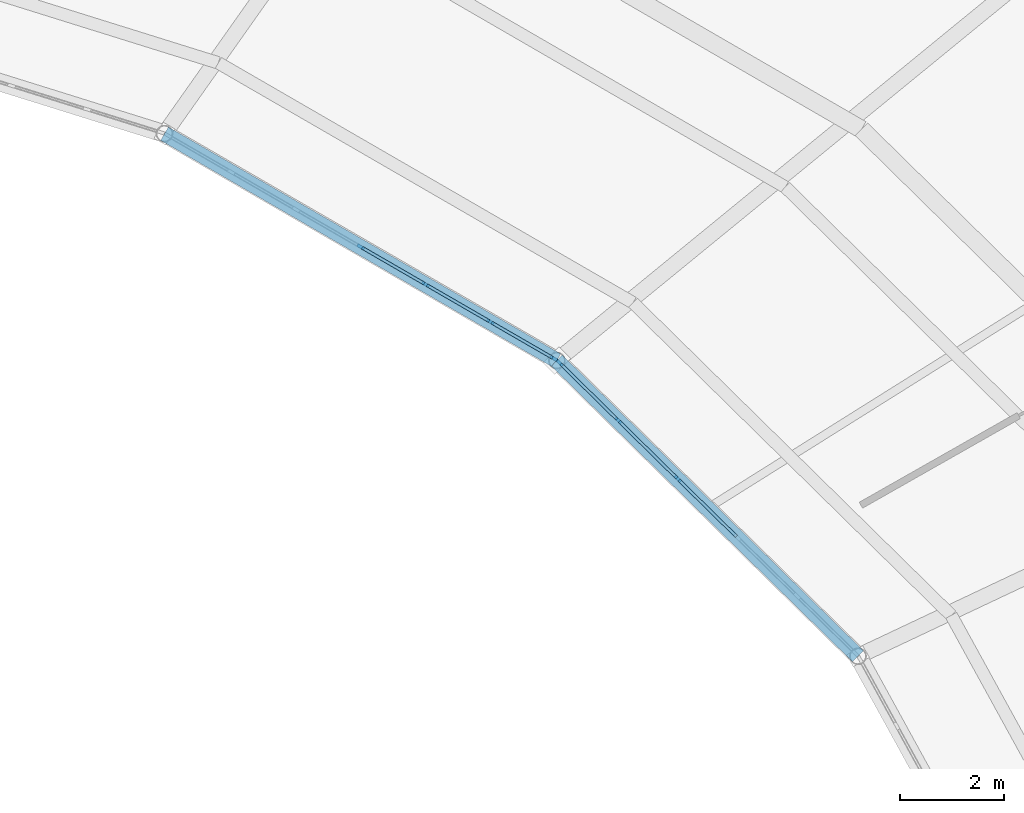
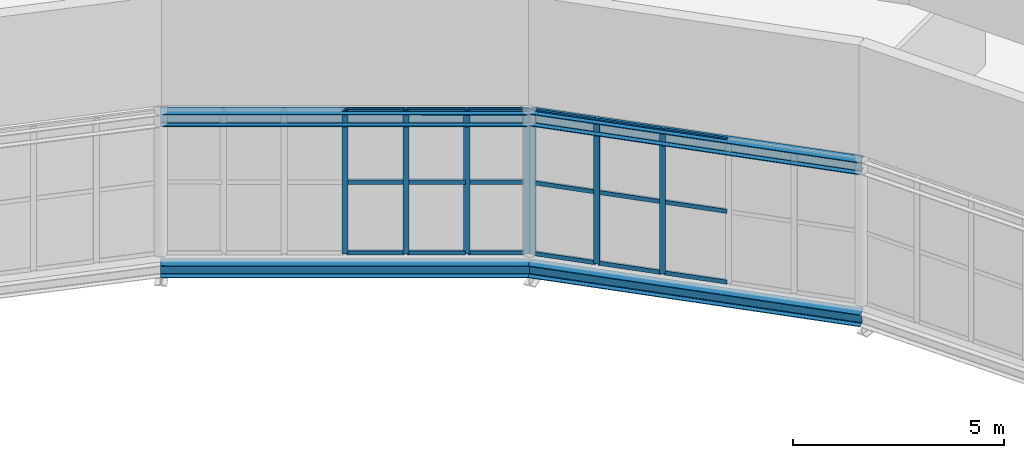
# One storey, part 52 of 123: 25 members, 4 beams, 2 elements without a shape of their own.
"""IFC4 building model written with IfcOpenShell, lengths in metres."""

import ifcopenshell
import ifcopenshell.guid

model = None  # the IFC model being written
_history = None  # IfcOwnerHistory: only IFC2X3 demands one
_inside = {}  # id of a spatial element -> (the spatial element, [elements in it])
_under = {}  # id of a project, library or spatial element -> (it, [spatial elements below it])
_declared = {}  # id of a project -> (the project, [libraries it declares])
_typed = {}  # id of a type object -> (the type object, [elements of that type])
_made_of = {}  # id of a material, layer set ... -> (it, [elements and type objects made of it])


def new_model(schema):
    """Start an empty IFC model of exactly this schema.

    Asked for "IFC4X3", IfcOpenShell would pick the latest addendum, in which some entities
    have other attributes; the version numbers below select the first issue.
    IFC2X3 requires an IfcOwnerHistory on every rooted entity: one is made here for all.
    """
    global model, _history
    if schema == "IFC4X3":
        model = ifcopenshell.file(schema_version=(4, 3, 0, 0))
    else:
        model = ifcopenshell.file(schema=schema)
    _inside.clear()
    _under.clear()
    _declared.clear()
    _typed.clear()
    _made_of.clear()
    _history = None
    if model.schema == "IFC2X3":
        org = make("IfcOrganization", Name="unknown")
        user = make(
            "IfcPersonAndOrganization",
            ThePerson=make("IfcPerson", FamilyName="unknown"),
            TheOrganization=org,
        )
        app = make(
            "IfcApplication",
            ApplicationDeveloper=org,
            Version="unknown",
            ApplicationFullName="unknown",
            ApplicationIdentifier="unknown",
        )
        _history = make(
            "IfcOwnerHistory",
            OwningUser=user,
            OwningApplication=app,
            ChangeAction="ADDED",
            CreationDate=0,
        )
    return model


def make(cls, **values):
    """One entity of the class cls with the attributes given. An attribute that is None is left unset."""
    return model.create_entity(
        cls, **{name: value for name, value in values.items() if value is not None}
    )


def rooted(cls, **values):
    """An entity with a GlobalId (a new one), such as an element, a storey or a relation."""
    return make(cls, GlobalId=ifcopenshell.guid.new(), OwnerHistory=_history, **values)


def si_unit(unit_type, name, prefix=None):
    """IfcSIUnit, for example si_unit("LENGTHUNIT", "METRE", prefix="MILLI")."""
    return make("IfcSIUnit", UnitType=unit_type, Prefix=prefix, Name=name)


def assignment(units):
    """IfcUnitAssignment: the units of a project."""
    return None if units is None else make("IfcUnitAssignment", Units=units)


def point(xyz):
    """IfcCartesianPoint."""
    return None if xyz is None else make("IfcCartesianPoint", Coordinates=xyz)


def direction(xyz):
    """IfcDirection."""
    return None if xyz is None else make("IfcDirection", DirectionRatios=xyz)


def frame(location, z_axis=None, x_axis=None):
    """IfcAxis2Placement3D, a coordinate frame: its origin and axes. An axis left out is left unset."""
    return make(
        "IfcAxis2Placement3D",
        Location=point(location),
        Axis=direction(z_axis),
        RefDirection=direction(x_axis),
    )


def frame_2d(location, x_axis=None):
    """IfcAxis2Placement2D, a coordinate frame in the plane: its origin and x axis."""
    return make(
        "IfcAxis2Placement2D", Location=point(location), RefDirection=direction(x_axis)
    )


def origin():
    """The frame at (0, 0, 0) with its axes left unset."""
    return frame((0.0, 0.0, 0.0))


def origin_2d():
    """The frame at (0, 0) in the plane with its x axis left unset."""
    return frame_2d((0.0, 0.0))


def place(relative_to, where):
    """IfcLocalPlacement: puts the frame where relative to a parent placement (None: the world)."""
    return make(
        "IfcLocalPlacement", PlacementRelTo=relative_to, RelativePlacement=where
    )


def context(
    kind, dimensions, precision=None, world=None, true_north=None, identifier=None
):
    """IfcGeometricRepresentationContext, for example the 3D "Model" context."""
    return make(
        "IfcGeometricRepresentationContext",
        ContextIdentifier=identifier,
        ContextType=kind,
        CoordinateSpaceDimension=dimensions,
        Precision=precision,
        WorldCoordinateSystem=world,
        TrueNorth=true_north,
    )


def subcontext(parent, identifier, kind, view, scale=None):
    """IfcGeometricRepresentationSubContext, for example "Body" below "Model"."""
    return make(
        "IfcGeometricRepresentationSubContext",
        ContextIdentifier=identifier,
        ContextType=kind,
        ParentContext=parent,
        TargetScale=scale,
        TargetView=view,
    )


def project(units=None, contexts=None):
    """IfcProject with its units and contexts."""
    return rooted(
        "IfcProject",
        Name="project",
        RepresentationContexts=contexts,
        UnitsInContext=assignment(units),
    )


def spatial(cls, under=None, at=None, **own):
    """A site, building, storey or space (cls), placed at a placement, below another one or the project."""
    s = rooted(cls, ObjectPlacement=at, **own)
    if under is not None:
        _under.setdefault(under.id(), (under, []))[1].append(s)
    return s


def profile(cls, at=None, kind="AREA", **sizes):
    """A parametric profile (cls). Its sizes go by their IFC names, for example OverallWidth=200.0."""
    return make(cls, ProfileType=kind, Position=at, **sizes)


def rectangle(**sizes):
    """IfcRectangleProfileDef."""
    return profile("IfcRectangleProfileDef", **sizes)


def i_section(**sizes):
    """IfcIShapeProfileDef."""
    return profile("IfcIShapeProfileDef", **sizes)


def extrude(swept, where, along, depth):
    """IfcExtrudedAreaSolid: the profile swept, set in the frame where, extruded along a direction by depth."""
    return make(
        "IfcExtrudedAreaSolid",
        SweptArea=swept,
        Position=where,
        ExtrudedDirection=direction(along),
        Depth=depth,
    )


def shape(context_of_items, identifier, shape_type, items):
    """IfcShapeRepresentation: the items that make up one representation, for example the "Body"."""
    return make(
        "IfcShapeRepresentation",
        ContextOfItems=context_of_items,
        RepresentationIdentifier=identifier,
        RepresentationType=shape_type,
        Items=items,
    )


def material(Name=None, Category=None):
    """IfcMaterial."""
    return make("IfcMaterial", Name=Name, Category=Category)


def material_profile(
    of_material, cross_section, Name=None, Category=None, Priority=None
):
    """IfcMaterialProfile: a cross section and its material."""
    return make(
        "IfcMaterialProfile",
        Name=Name,
        Material=of_material,
        Profile=cross_section,
        Priority=Priority,
        Category=Category,
    )


def profile_set(profiles, Name=None, composite=None):
    """IfcMaterialProfileSet."""
    return make(
        "IfcMaterialProfileSet",
        Name=Name,
        MaterialProfiles=profiles,
        CompositeProfile=composite,
    )


def made_of(thing, what):
    """Note that an element or type object is made of a material, layer set ...; save() writes the relation."""
    if what is not None:
        _made_of.setdefault(what.id(), (what, []))[1].append(thing)
    return thing


def type_object(cls, material=None, **own):
    """A type object (cls), such as IfcWallType, which elements share."""
    return made_of(rooted(cls, **own), material)


def element(
    cls,
    number,
    at=None,
    inside=None,
    cuts=None,
    type_object=None,
    material=None,
    context=None,
    identifier="Body",
    shape_type=None,
    held_by="IfcProductDefinitionShape",
    body=None,
    shapes=None,
    **own,
):
    """One element of the class cls, such as IfcWall. Its Tag is "e" and its number.

    at: its placement. inside: the storey or other place that contains it. cuts: it is an
    opening in that element (IfcRelVoidsElement). A single representation is given by context,
    identifier, shape_type and body (its items); several are given by shapes. held_by: the class
    of the entity that holds the representations. save() writes the other relations.
    """
    e = rooted(cls, Tag="e%d" % number, ObjectPlacement=at, **own)
    if body is not None:
        shapes = [shape(context, identifier, shape_type, body)]
    if shapes is not None:
        e.Representation = make(held_by, Representations=shapes)
    if inside is not None:
        _inside.setdefault(inside.id(), (inside, []))[1].append(e)
    if cuts is not None:
        rooted(
            "IfcRelVoidsElement", RelatingBuildingElement=cuts, RelatedOpeningElement=e
        )
    if type_object is not None:
        _typed.setdefault(type_object.id(), (type_object, []))[1].append(e)
    return made_of(e, material)


def aggregate(whole, parts):
    """IfcRelAggregates: a whole, such as a stair, and the parts it consists of."""
    return rooted("IfcRelAggregates", RelatingObject=whole, RelatedObjects=parts)


def save(model, path):
    """Write the relations noted so far, then the file.

    IfcRelAggregates (storeys below a building ...), IfcRelContainedInSpatialStructure (elements
    in a storey), IfcRelDefinesByType, IfcRelAssociatesMaterial and IfcRelDeclares: one each for
    every whole, place, type object, material and project.
    """
    for whole, parts in _under.values():
        aggregate(whole, parts)
    for where, things in _inside.values():
        rooted(
            "IfcRelContainedInSpatialStructure",
            RelatedElements=things,
            RelatingStructure=where,
        )
    for kind, things in _typed.values():
        rooted("IfcRelDefinesByType", RelatedObjects=things, RelatingType=kind)
    for what, things in _made_of.values():
        rooted("IfcRelAssociatesMaterial", RelatedObjects=things, RelatingMaterial=what)
    for by, libraries in _declared.values():
        rooted("IfcRelDeclares", RelatingContext=by, RelatedDefinitions=libraries)
    model.write(path)


model = new_model("IFC4")

# Units and contexts
model_context = context("Model", 3, precision=1e-05, world=origin(), true_north=direction((0.0, 1.0)))
body_context = subcontext(model_context, "Body", "Model", "MODEL_VIEW")
ifc_project = project(units=[si_unit("LENGTHUNIT", "METRE"), si_unit("AREAUNIT", "SQUARE_METRE"), si_unit("VOLUMEUNIT", "CUBIC_METRE"), si_unit("PLANEANGLEUNIT", "RADIAN"), si_unit("MASSUNIT", "GRAM", prefix="KILO")], contexts=[model_context])

# Site, building, storey
site_placement = place(None, origin())
site = spatial("IfcSite", under=ifc_project, at=site_placement, CompositionType="ELEMENT")
building_placement = place(site_placement, origin())
building = spatial("IfcBuilding", under=site, at=building_placement, Name="Kildeholm Park Wholesale Market", CompositionType="ELEMENT")
storey_placement = place(building_placement, frame((0.0, 0.0, 9.60009765625)))
storey = spatial("IfcBuildingStorey", under=building, at=storey_placement, Name="L02", CompositionType="ELEMENT", Elevation=9.60009765625)

# Beams
ifc_material_1 = material(Name="Steel S355", Category="steel")
ifc_material_profile_1 = material_profile(ifc_material_1, i_section(OverallWidth=0.300048828125, OverallDepth=0.35009765625, WebThickness=0.010009765625, FlangeThickness=0.017578125, FilletRadius=0.027099609375, at=origin_2d()), Name="HEA 360")
ifc_profile_set_1 = profile_set([ifc_material_profile_1], Name="Steel S355")
beam_type_1 = type_object("IfcBeamType", Name="Beam B-R01 HEA 360", PredefinedType="BEAM", material=ifc_profile_set_1)
beam_1_placement = place(storey_placement, frame((130.610107421875, 103.25, -0.42919921875), z_axis=(-0.713593723838, 0.700559774251, 0.0), x_axis=(-0.700559774251, -0.713593723838, 0.0)))
element("IfcBeam", 1, at=beam_1_placement, inside=storey, type_object=beam_type_1, Name="Beam BM-V1-L02-CI-02 BM-0024", PredefinedType="BEAM", context=body_context, shape_type="SweptSolid", body=[
    extrude(i_section(OverallWidth=0.300048828125, OverallDepth=0.35009765625, WebThickness=0.010009765625, FlangeThickness=0.017578125, FilletRadius=0.027099609375, at=origin_2d()), origin(), (0.0, 0.0, 1.0), 8.12939453125),
])
beam_2_placement = place(storey_placement, frame((124.80908203125, 108.945068359375, -0.42919921875), z_axis=(-0.865697347457, 0.500567780231, 0.0), x_axis=(-0.500567780231, -0.865697347457, 0.0)))
element("IfcBeam", 2, at=beam_2_placement, inside=storey, type_object=beam_type_1, Name="Beam BM-V1-L02-CI-03 BM-0034", PredefinedType="BEAM", context=body_context, shape_type="SweptSolid", body=[
    extrude(i_section(OverallWidth=0.300048828125, OverallDepth=0.35009765625, WebThickness=0.010009765625, FlangeThickness=0.017578125, FilletRadius=0.027099609375, at=origin_2d()), origin(), (0.0, 0.0, 1.0), 8.731689453125),
])
ifc_material_profile_2 = material_profile(ifc_material_1, i_section(OverallWidth=0.300048828125, OverallDepth=0.360107421875, WebThickness=0.012451171875, FlangeThickness=0.0224609375, FilletRadius=0.027099609375, at=origin_2d()), Name="HEB 360")
ifc_profile_set_2 = profile_set([ifc_material_profile_2], Name="Steel S355")
beam_type_2 = type_object("IfcBeamType", Name="Beam B-R03 HEB 360", PredefinedType="BEAM", material=ifc_profile_set_2)
beam_3_placement = place(storey_placement, frame((130.610107421875, 103.25, 3.9658203125), z_axis=(-0.713593723838, 0.700559774251, 0.0), x_axis=(-0.700559774251, -0.713593723838, 0.0)))
element("IfcBeam", 3, at=beam_3_placement, inside=storey, type_object=beam_type_2, Name="Beam BM-V1-RF-IN-02 BM-0235", PredefinedType="BEAM", context=body_context, shape_type="SweptSolid", body=[
    extrude(i_section(OverallWidth=0.300048828125, OverallDepth=0.360107421875, WebThickness=0.012451171875, FlangeThickness=0.0224609375, FilletRadius=0.027099609375, at=origin_2d()), origin(), (0.0, 0.0, 1.0), 8.12939453125),
])
beam_4_placement = place(storey_placement, frame((124.80908203125, 108.945068359375, 3.94091796875), z_axis=(-0.865697347457, 0.500567780231, 0.0), x_axis=(-0.500567780231, -0.865697347457, 0.0)))
element("IfcBeam", 4, at=beam_4_placement, inside=storey, type_object=beam_type_2, Name="Beam BM-V1-RF-IN-03 BM-0241", PredefinedType="BEAM", context=body_context, shape_type="SweptSolid", body=[
    extrude(i_section(OverallWidth=0.300048828125, OverallDepth=0.360107421875, WebThickness=0.012451171875, FlangeThickness=0.0224609375, FilletRadius=0.027099609375, at=origin_2d()), origin(), (0.0, 0.0, 1.0), 8.731689453125),
])

# Curtain wall, members
ifc_material_2 = material(Name="Anodised aluminium and low-E double-glazed glass", Category="aluminium")
curtain_wall_type = type_object("IfcCurtainWallType", Name="Clerestory daylight stick curtain wall CW-02", PredefinedType="NOTDEFINED", material=ifc_material_2)
curtain_wall_1_placement = place(storey_placement, origin())
curtain_wall_1 = element("IfcCurtainWall", 5, at=curtain_wall_1_placement, inside=storey, type_object=curtain_wall_type, Name="Curtain wall CW-V1-IN2-02 CW-0015", PredefinedType="NOTDEFINED")
ifc_material_3 = material(Name="Anodised aluminium", Category="aluminium")
ifc_material_profile_3 = material_profile(ifc_material_3, rectangle(XDim=0.06005859375, YDim=0.14990234375, at=origin_2d()), Name="CWM 60x150")
ifc_profile_set_3 = profile_set([ifc_material_profile_3], Name="Anodised aluminium")
member_type_1 = type_object("IfcMemberType", Name="Curtain-wall mullion CWM-3 CWM 60x150", PredefinedType="MULLION", material=ifc_profile_set_3)
member_1_placement = place(storey_placement, frame((127.14013671875, 106.664306640625, 0.0), z_axis=(0.0, 0.0, 1.0), x_axis=(-0.700616534607, -0.713537995789, 0.0)))
member_1 = element("IfcMember", 6, at=member_1_placement, type_object=member_type_1, Name="CW-02 mullion 4 MEM-0755", PredefinedType="MULLION", context=body_context, shape_type="SweptSolid", body=[
    extrude(rectangle(XDim=0.06005859375, YDim=0.14990234375, at=origin_2d()), origin(), (0.0, 0.0, 1.0), 4.14990234375),
])
member_2_placement = place(storey_placement, frame((125.99169921875, 107.792236328125, 0.0), z_axis=(0.0, 0.0, 1.0), x_axis=(-0.700616534607, -0.713537995789, 0.0)))
member_2 = element("IfcMember", 7, at=member_2_placement, type_object=member_type_1, Name="CW-02 mullion 5 MEM-0756", PredefinedType="MULLION", context=body_context, shape_type="SweptSolid", body=[
    extrude(rectangle(XDim=0.06005859375, YDim=0.14990234375, at=origin_2d()), origin(), (0.0, 0.0, 1.0), 4.14990234375),
])
member_3_placement = place(storey_placement, frame((124.864501953125, 108.89892578125, 0.0), z_axis=(0.0, 0.0, 1.0), x_axis=(-0.700616534607, -0.713537995789, 0.0)))
member_3 = element("IfcMember", 8, at=member_3_placement, type_object=member_type_1, Name="CW-02 mullion 6 MEM-0757", PredefinedType="MULLION", context=body_context, shape_type="SweptSolid", body=[
    extrude(rectangle(XDim=0.06005859375, YDim=0.14990234375, at=origin_2d()), origin(), (0.0, 0.0, 1.0), 4.14990234375),
])

curtain_wall_2_placement = place(storey_placement, origin())
curtain_wall_2 = element("IfcCurtainWall", 9, at=curtain_wall_2_placement, inside=storey, type_object=curtain_wall_type, Name="Curtain wall CW-V1-IN2-03 CW-0020", PredefinedType="NOTDEFINED")
member_4_placement = place(storey_placement, frame((124.751953125, 108.984130859375, 0.0), z_axis=(0.0, 0.0, 1.0), x_axis=(-0.500489412982, -0.865742656621, 0.0)))
member_4 = element("IfcMember", 10, at=member_4_placement, type_object=member_type_1, Name="CW-02 mullion 1 MEM-0893", PredefinedType="MULLION", context=body_context, shape_type="SweptSolid", body=[
    extrude(rectangle(XDim=0.06005859375, YDim=0.14990234375, at=origin_2d()), origin(), (0.0, 0.0, 1.0), 4.14990234375),
])
member_5_placement = place(storey_placement, frame((123.52978515625, 109.690673828125, 0.0), z_axis=(0.0, 0.0, 1.0), x_axis=(-0.500489412982, -0.865742656621, 0.0)))
member_5 = element("IfcMember", 11, at=member_5_placement, type_object=member_type_1, Name="CW-02 mullion 2 MEM-0894", PredefinedType="MULLION", context=body_context, shape_type="SweptSolid", body=[
    extrude(rectangle(XDim=0.06005859375, YDim=0.14990234375, at=origin_2d()), origin(), (0.0, 0.0, 1.0), 4.14990234375),
])
member_6_placement = place(storey_placement, frame((122.28125, 110.412353515625, 0.0), z_axis=(0.0, 0.0, 1.0), x_axis=(-0.500489412982, -0.865742656621, 0.0)))
member_6 = element("IfcMember", 12, at=member_6_placement, type_object=member_type_1, Name="CW-02 mullion 3 MEM-0895", PredefinedType="MULLION", context=body_context, shape_type="SweptSolid", body=[
    extrude(rectangle(XDim=0.06005859375, YDim=0.14990234375, at=origin_2d()), origin(), (0.0, 0.0, 1.0), 4.14990234375),
])
member_7_placement = place(storey_placement, frame((121.032958984375, 111.134033203125, 0.0), z_axis=(0.0, 0.0, 1.0), x_axis=(-0.500489412982, -0.865742656621, 0.0)))
member_7 = element("IfcMember", 13, at=member_7_placement, type_object=member_type_1, Name="CW-02 mullion 4 MEM-0896", PredefinedType="MULLION", context=body_context, shape_type="SweptSolid", body=[
    extrude(rectangle(XDim=0.06005859375, YDim=0.14990234375, at=origin_2d()), origin(), (0.0, 0.0, 1.0), 4.14990234375),
])

# Member
ifc_material_profile_4 = material_profile(ifc_material_3, rectangle(XDim=0.06005859375, YDim=0.1201171875, at=origin_2d()), Name="CWT 60x120")
ifc_profile_set_4 = profile_set([ifc_material_profile_4], Name="Anodised aluminium")
member_type_2 = type_object("IfcMemberType", Name="Curtain-wall transom CWT-3 CWT 60x120", PredefinedType="USERDEFINED", material=ifc_profile_set_4)
member_8_placement = place(storey_placement, frame((128.267333984375, 105.5576171875, 0.02978515625), z_axis=(-0.713536761503, 0.700617791655, 0.0), x_axis=(-0.700617791655, -0.713536761503, 0.0)))
member_8 = element("IfcMember", 14, at=member_8_placement, type_object=member_type_2, Name="CW-02 transom 3.1 MEM-0764", ObjectType="TRANSOM", PredefinedType="USERDEFINED", context=body_context, shape_type="SweptSolid", body=[
    extrude(rectangle(XDim=0.06005859375, YDim=0.1201171875, at=origin_2d()), origin(), (0.0, 0.0, 1.0), 1.549560546875),
])

member_9_placement = place(storey_placement, frame((128.267333984375, 105.5576171875, 2.074951171875), z_axis=(-0.713536761503, 0.700617791655, 0.0), x_axis=(-0.700617791655, -0.713536761503, 0.0)))
member_9 = element("IfcMember", 15, at=member_9_placement, type_object=member_type_2, Name="CW-02 transom 3.2 MEM-0765", ObjectType="TRANSOM", PredefinedType="USERDEFINED", context=body_context, shape_type="SweptSolid", body=[
    extrude(rectangle(XDim=0.06005859375, YDim=0.1201171875, at=origin_2d()), origin(), (0.0, 0.0, 1.0), 1.549560546875),
])

member_10_placement = place(storey_placement, frame((128.267333984375, 105.5576171875, 4.119873046875), z_axis=(-0.713536761503, 0.700617791655, 0.0), x_axis=(-0.700617791655, -0.713536761503, 0.0)))
member_10 = element("IfcMember", 16, at=member_10_placement, type_object=member_type_2, Name="CW-02 transom 3.3 MEM-0766", ObjectType="TRANSOM", PredefinedType="USERDEFINED", context=body_context, shape_type="SweptSolid", body=[
    extrude(rectangle(XDim=0.06005859375, YDim=0.1201171875, at=origin_2d()), origin(), (0.0, 0.0, 1.0), 1.549560546875),
])

member_11_placement = place(storey_placement, frame((127.118896484375, 106.685302734375, 0.02978515625), z_axis=(-0.713535335808, 0.700619243636, 0.0), x_axis=(-0.700619243636, -0.713535335808, 0.0)))
member_11 = element("IfcMember", 17, at=member_11_placement, type_object=member_type_2, Name="CW-02 transom 4.1 MEM-0767", ObjectType="TRANSOM", PredefinedType="USERDEFINED", context=body_context, shape_type="SweptSolid", body=[
    extrude(rectangle(XDim=0.06005859375, YDim=0.1201171875, at=origin_2d()), origin(), (0.0, 0.0, 1.0), 1.550048828125),
])

member_12_placement = place(storey_placement, frame((127.118896484375, 106.685302734375, 2.074951171875), z_axis=(-0.713535335808, 0.700619243636, 0.0), x_axis=(-0.700619243636, -0.713535335808, 0.0)))
member_12 = element("IfcMember", 18, at=member_12_placement, type_object=member_type_2, Name="CW-02 transom 4.2 MEM-0768", ObjectType="TRANSOM", PredefinedType="USERDEFINED", context=body_context, shape_type="SweptSolid", body=[
    extrude(rectangle(XDim=0.06005859375, YDim=0.1201171875, at=origin_2d()), origin(), (0.0, 0.0, 1.0), 1.550048828125),
])

member_13_placement = place(storey_placement, frame((127.118896484375, 106.685302734375, 4.119873046875), z_axis=(-0.713535335808, 0.700619243636, 0.0), x_axis=(-0.700619243636, -0.713535335808, 0.0)))
member_13 = element("IfcMember", 19, at=member_13_placement, type_object=member_type_2, Name="CW-02 transom 4.3 MEM-0769", ObjectType="TRANSOM", PredefinedType="USERDEFINED", context=body_context, shape_type="SweptSolid", body=[
    extrude(rectangle(XDim=0.06005859375, YDim=0.1201171875, at=origin_2d()), origin(), (0.0, 0.0, 1.0), 1.550048828125),
])

member_14_placement = place(storey_placement, frame((125.97021484375, 107.813232421875, 0.02978515625), z_axis=(-0.713582952172, 0.700570746156, 0.0), x_axis=(-0.700570746156, -0.713582952172, 0.0)))
member_14 = element("IfcMember", 20, at=member_14_placement, type_object=member_type_2, Name="CW-02 transom 5.1 MEM-0770", ObjectType="TRANSOM", PredefinedType="USERDEFINED", context=body_context, shape_type="SweptSolid", body=[
    extrude(rectangle(XDim=0.06005859375, YDim=0.1201171875, at=origin_2d()), origin(), (0.0, 0.0, 1.0), 1.519775390625),
])

member_15_placement = place(storey_placement, frame((125.97021484375, 107.813232421875, 2.074951171875), z_axis=(-0.713582952172, 0.700570746156, 0.0), x_axis=(-0.700570746156, -0.713582952172, 0.0)))
member_15 = element("IfcMember", 21, at=member_15_placement, type_object=member_type_2, Name="CW-02 transom 5.2 MEM-0771", ObjectType="TRANSOM", PredefinedType="USERDEFINED", context=body_context, shape_type="SweptSolid", body=[
    extrude(rectangle(XDim=0.06005859375, YDim=0.1201171875, at=origin_2d()), origin(), (0.0, 0.0, 1.0), 1.519775390625),
])

member_16_placement = place(storey_placement, frame((125.97021484375, 107.813232421875, 4.119873046875), z_axis=(-0.713582952172, 0.700570746156, 0.0), x_axis=(-0.700570746156, -0.713582952172, 0.0)))
member_16 = element("IfcMember", 22, at=member_16_placement, type_object=member_type_2, Name="CW-02 transom 5.3 MEM-0772", ObjectType="TRANSOM", PredefinedType="USERDEFINED", context=body_context, shape_type="SweptSolid", body=[
    extrude(rectangle(XDim=0.06005859375, YDim=0.1201171875, at=origin_2d()), origin(), (0.0, 0.0, 1.0), 1.519775390625),
])

aggregate(curtain_wall_1, [member_1, member_2, member_3, member_8, member_9, member_10, member_11, member_12, member_13, member_14, member_15, member_16])

member_17_placement = place(storey_placement, frame((124.72607421875, 108.9990234375, 0.02978515625), z_axis=(-0.865776399866, 0.500431039639, 0.0), x_axis=(-0.500431039639, -0.865776399866, 0.0)))
member_17 = element("IfcMember", 23, at=member_17_placement, type_object=member_type_2, Name="CW-02 transom 1.1 MEM-0900", ObjectType="TRANSOM", PredefinedType="USERDEFINED", context=body_context, shape_type="SweptSolid", body=[
    extrude(rectangle(XDim=0.06005859375, YDim=0.1201171875, at=origin_2d()), origin(), (0.0, 0.0, 1.0), 1.351806640625),
])

member_18_placement = place(storey_placement, frame((124.72607421875, 108.9990234375, 2.074951171875), z_axis=(-0.865776399866, 0.500431039639, 0.0), x_axis=(-0.500431039639, -0.865776399866, 0.0)))
member_18 = element("IfcMember", 24, at=member_18_placement, type_object=member_type_2, Name="CW-02 transom 1.2 MEM-0901", ObjectType="TRANSOM", PredefinedType="USERDEFINED", context=body_context, shape_type="SweptSolid", body=[
    extrude(rectangle(XDim=0.06005859375, YDim=0.1201171875, at=origin_2d()), origin(), (0.0, 0.0, 1.0), 1.351806640625),
])

member_19_placement = place(storey_placement, frame((124.72607421875, 108.9990234375, 4.119873046875), z_axis=(-0.865776399866, 0.500431039639, 0.0), x_axis=(-0.500431039639, -0.865776399866, 0.0)))
member_19 = element("IfcMember", 25, at=member_19_placement, type_object=member_type_2, Name="CW-02 transom 1.3 MEM-0902", ObjectType="TRANSOM", PredefinedType="USERDEFINED", context=body_context, shape_type="SweptSolid", body=[
    extrude(rectangle(XDim=0.06005859375, YDim=0.1201171875, at=origin_2d()), origin(), (0.0, 0.0, 1.0), 1.351806640625),
])

member_20_placement = place(storey_placement, frame((123.503662109375, 109.70556640625, 0.02978515625), z_axis=(-0.865720476709, 0.500527777657, 0.0), x_axis=(-0.500527777657, -0.865720476709, 0.0)))
member_20 = element("IfcMember", 26, at=member_20_placement, type_object=member_type_2, Name="CW-02 transom 2.1 MEM-0903", ObjectType="TRANSOM", PredefinedType="USERDEFINED", context=body_context, shape_type="SweptSolid", body=[
    extrude(rectangle(XDim=0.06005859375, YDim=0.1201171875, at=origin_2d()), origin(), (0.0, 0.0, 1.0), 1.3818359375),
])

member_21_placement = place(storey_placement, frame((123.503662109375, 109.70556640625, 2.074951171875), z_axis=(-0.865720476709, 0.500527777657, 0.0), x_axis=(-0.500527777657, -0.865720476709, 0.0)))
member_21 = element("IfcMember", 27, at=member_21_placement, type_object=member_type_2, Name="CW-02 transom 2.2 MEM-0904", ObjectType="TRANSOM", PredefinedType="USERDEFINED", context=body_context, shape_type="SweptSolid", body=[
    extrude(rectangle(XDim=0.06005859375, YDim=0.1201171875, at=origin_2d()), origin(), (0.0, 0.0, 1.0), 1.3818359375),
])

member_22_placement = place(storey_placement, frame((123.503662109375, 109.70556640625, 4.119873046875), z_axis=(-0.865720476709, 0.500527777657, 0.0), x_axis=(-0.500527777657, -0.865720476709, 0.0)))
member_22 = element("IfcMember", 28, at=member_22_placement, type_object=member_type_2, Name="CW-02 transom 2.3 MEM-0905", ObjectType="TRANSOM", PredefinedType="USERDEFINED", context=body_context, shape_type="SweptSolid", body=[
    extrude(rectangle(XDim=0.06005859375, YDim=0.1201171875, at=origin_2d()), origin(), (0.0, 0.0, 1.0), 1.3818359375),
])

member_23_placement = place(storey_placement, frame((122.25537109375, 110.42724609375, 0.02978515625), z_axis=(-0.865720476709, 0.500527777657, 0.0), x_axis=(-0.500527777657, -0.865720476709, 0.0)))
member_23 = element("IfcMember", 29, at=member_23_placement, type_object=member_type_2, Name="CW-02 transom 3.1 MEM-0906", ObjectType="TRANSOM", PredefinedType="USERDEFINED", context=body_context, shape_type="SweptSolid", body=[
    extrude(rectangle(XDim=0.06005859375, YDim=0.1201171875, at=origin_2d()), origin(), (0.0, 0.0, 1.0), 1.3818359375),
])

member_24_placement = place(storey_placement, frame((122.25537109375, 110.42724609375, 2.074951171875), z_axis=(-0.865720476709, 0.500527777657, 0.0), x_axis=(-0.500527777657, -0.865720476709, 0.0)))
member_24 = element("IfcMember", 30, at=member_24_placement, type_object=member_type_2, Name="CW-02 transom 3.2 MEM-0907", ObjectType="TRANSOM", PredefinedType="USERDEFINED", context=body_context, shape_type="SweptSolid", body=[
    extrude(rectangle(XDim=0.06005859375, YDim=0.1201171875, at=origin_2d()), origin(), (0.0, 0.0, 1.0), 1.3818359375),
])

member_25_placement = place(storey_placement, frame((122.25537109375, 110.42724609375, 4.119873046875), z_axis=(-0.865720476709, 0.500527777657, 0.0), x_axis=(-0.500527777657, -0.865720476709, 0.0)))
member_25 = element("IfcMember", 31, at=member_25_placement, type_object=member_type_2, Name="CW-02 transom 3.3 MEM-0908", ObjectType="TRANSOM", PredefinedType="USERDEFINED", context=body_context, shape_type="SweptSolid", body=[
    extrude(rectangle(XDim=0.06005859375, YDim=0.1201171875, at=origin_2d()), origin(), (0.0, 0.0, 1.0), 1.3818359375),
])

aggregate(curtain_wall_2, [member_4, member_5, member_6, member_7, member_17, member_18, member_19, member_20, member_21, member_22, member_23, member_24, member_25])

save(model, "model.ifc")
